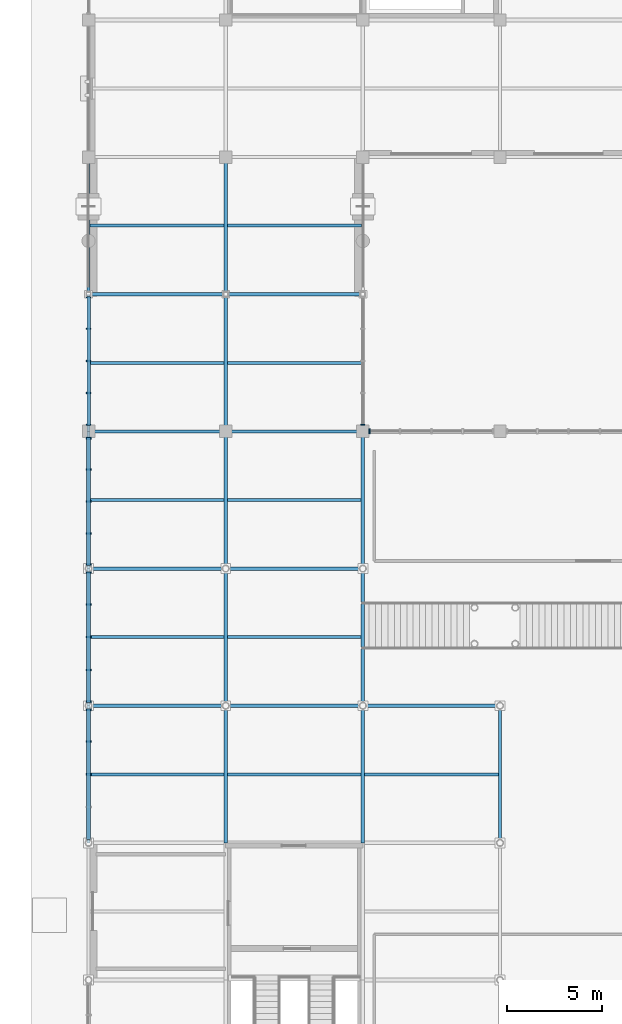
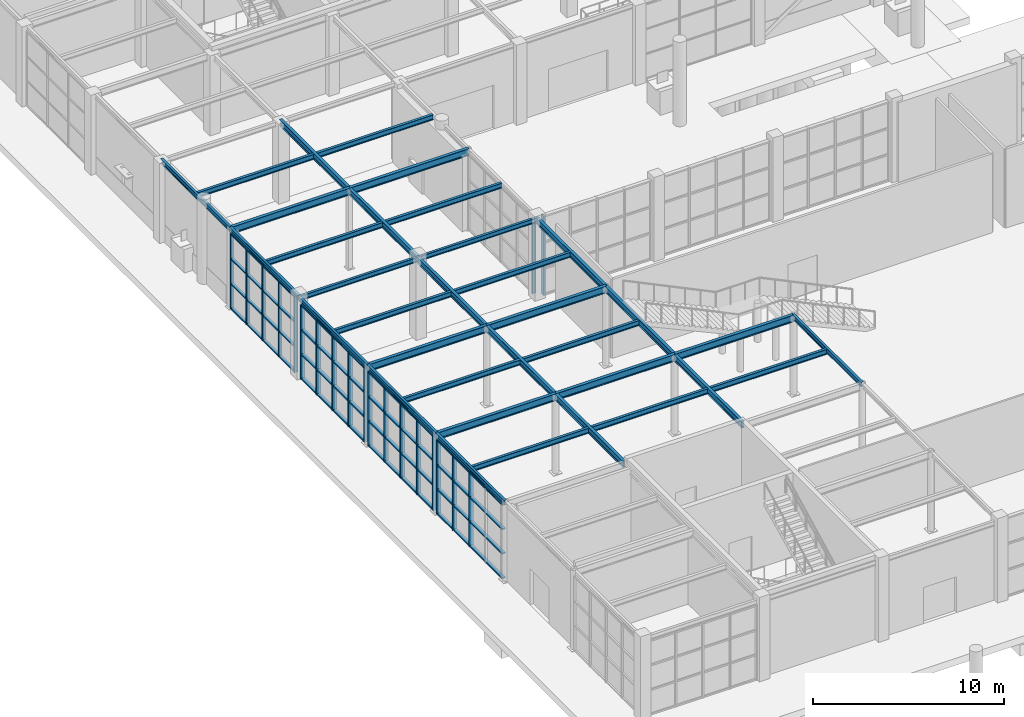
# One storey, part 22 of 75: 36 members, 34 beams, 6 elements without a shape of their own.
"""IFC4 building model written with IfcOpenShell, lengths in metres."""

from ifc_helpers import new_model, si_unit, direction, frame, origin, origin_2d, place, context, subcontext, project, spatial, rectangle, i_section, extrude, material, material_profile, profile_set, type_object, element, aggregate, save


model = new_model("IFC4")

# Units and contexts
model_context = context("Model", 3, precision=1e-05, world=origin(), true_north=direction((0.0, 1.0)))
body_context = subcontext(model_context, "Body", "Model", "MODEL_VIEW")
ifc_project = project(units=[si_unit("LENGTHUNIT", "METRE"), si_unit("AREAUNIT", "SQUARE_METRE"), si_unit("VOLUMEUNIT", "CUBIC_METRE"), si_unit("PLANEANGLEUNIT", "RADIAN"), si_unit("MASSUNIT", "GRAM", prefix="KILO")], contexts=[model_context])

# Site, building, storey
site_placement = place(None, origin())
site = spatial("IfcSite", under=ifc_project, at=site_placement, CompositionType="ELEMENT")
building_placement = place(site_placement, origin())
building = spatial("IfcBuilding", under=site, at=building_placement, Name="Leyfeld Transit Interchange", CompositionType="ELEMENT")
storey_placement = place(building_placement, origin())
storey = spatial("IfcBuildingStorey", under=building, at=storey_placement, Name="L00", CompositionType="ELEMENT", Elevation=0.0)

# Beams
ifc_material_1 = material(Name="Steel S355J2", Category="steel")
ifc_material_profile_1 = material_profile(ifc_material_1, i_section(OverallWidth=0.14990234375, OverallDepth=0.300048828125, WebThickness=0.007080078125, FlangeThickness=0.0107421875, FilletRadius=0.014892578125, at=origin_2d()), Name="IPE 300")
ifc_profile_set_1 = profile_set([ifc_material_profile_1], Name="Steel S355J2")
beam_type_1 = type_object("IfcBeamType", Name="BM-STL-IPE300", PredefinedType="SPANDREL", material=ifc_profile_set_1)
for number, where, z_axis, x_axis, name in (
    (1, (0.0, 28.800048828125, 4.949951171875), (0.0, 1.0, 0.0), (-1.0, 0.0, 0.0), "Beam BM-L00-0000_0288-0000_0360"),
    (2, (0.0, 36.0, 4.949951171875), (0.0, 1.0, 0.0), (-1.0, 0.0, 0.0), "Beam BM-L00-0000_0360-0000_0432"),
    (3, (0.0, 43.199951171875, 4.949951171875), (0.0, 1.0, 0.0), (-1.0, 0.0, 0.0), "Beam BM-L00-0000_0432-0000_0504"),
    (4, (21.60009765625, 28.800048828125, 4.949951171875), (0.0, 1.0, 0.0), (-1.0, 0.0, 0.0), "Beam BM-L00-0216_0288-0216_0360"),
    (5, (0.0, 50.39990234375, 4.949951171875), (1.0, 0.0, 0.0), (0.0, 1.0, 0.0), "Beam BM-L00-0000_0504-0072_0504"),
    (6, (7.199951171875, 50.39990234375, 4.949951171875), (1.0, 0.0, 0.0), (0.0, 1.0, 0.0), "Beam BM-L00-0072_0504-0144_0504"),
):
    element("IfcBeam", number, at=place(storey_placement, frame(where, z_axis=z_axis, x_axis=x_axis)), inside=storey, type_object=beam_type_1, Name=name, PredefinedType="SPANDREL", context=body_context, shape_type="SweptSolid", body=[
        extrude(i_section(OverallWidth=0.14990234375, OverallDepth=0.300048828125, WebThickness=0.007080078125, FlangeThickness=0.0107421875, FilletRadius=0.014892578125, at=origin_2d()), origin(), (0.0, 0.0, 1.0), 7.199951171875),
    ])
beam_1_placement = place(storey_placement, frame((0.0, 50.39990234375, 5.010009765625), z_axis=(0.0, 1.0, 0.0), x_axis=(-1.0, 0.0, 0.0)))
element("IfcBeam", 7, at=beam_1_placement, inside=storey, type_object=beam_type_1, Name="Beam BM-L00-0000_0504-0000_0576", PredefinedType="SPANDREL", context=body_context, shape_type="SweptSolid", body=[
    extrude(i_section(OverallWidth=0.14990234375, OverallDepth=0.300048828125, WebThickness=0.007080078125, FlangeThickness=0.0107421875, FilletRadius=0.014892578125, at=origin_2d()), origin(), (0.0, 0.0, 1.0), 7.2001953125),
])
beam_2_placement = place(storey_placement, frame((0.0, 57.60009765625, 5.010009765625), z_axis=(0.0, 1.0, 0.0), x_axis=(-1.0, 0.0, 0.0)))
element("IfcBeam", 8, at=beam_2_placement, inside=storey, type_object=beam_type_1, Name="Beam BM-L00-0000_0576-0000_0648", PredefinedType="SPANDREL", context=body_context, shape_type="SweptSolid", body=[
    extrude(i_section(OverallWidth=0.14990234375, OverallDepth=0.300048828125, WebThickness=0.007080078125, FlangeThickness=0.0107421875, FilletRadius=0.014892578125, at=origin_2d()), origin(), (0.0, 0.0, 1.0), 7.199951171875),
])
ifc_material_profile_2 = material_profile(ifc_material_1, i_section(OverallWidth=0.159912109375, OverallDepth=0.330078125, WebThickness=0.007568359375, FlangeThickness=0.011474609375, FilletRadius=0.01806640625, at=origin_2d()), Name="IPE 330")
ifc_profile_set_2 = profile_set([ifc_material_profile_2], Name="Steel S355J2")
beam_type_2 = type_object("IfcBeamType", Name="BM-STL-IPE330", PredefinedType="BEAM", material=ifc_profile_set_2)
beam_3_placement = place(storey_placement, frame((0.072021484375, 32.39990234375, 4.93505859375), z_axis=(1.0, 0.0, 0.0), x_axis=(0.0, 1.0, 0.0)))
element("IfcBeam", 9, at=beam_3_placement, inside=storey, type_object=beam_type_2, Name="Beam BM-L00-0001_0324-0071_0324", PredefinedType="BEAM", context=body_context, shape_type="SweptSolid", body=[
    extrude(i_section(OverallWidth=0.159912109375, OverallDepth=0.330078125, WebThickness=0.007568359375, FlangeThickness=0.011474609375, FilletRadius=0.01806640625, at=origin_2d()), origin(), (0.0, 0.0, 1.0), 7.041015625),
])
beam_4_placement = place(storey_placement, frame((7.287109375, 32.39990234375, 4.93505859375), z_axis=(1.0, 0.0, 0.0), x_axis=(0.0, 1.0, 0.0)))
element("IfcBeam", 10, at=beam_4_placement, inside=storey, type_object=beam_type_2, Name="Beam BM-L00-0073_0324-0143_0324", PredefinedType="BEAM", context=body_context, shape_type="SweptSolid", body=[
    extrude(i_section(OverallWidth=0.159912109375, OverallDepth=0.330078125, WebThickness=0.007568359375, FlangeThickness=0.011474609375, FilletRadius=0.01806640625, at=origin_2d()), origin(), (0.0, 0.0, 1.0), 7.02587890625),
])
for number, where, z_axis, x_axis, name in (
    (11, (14.487060546875, 32.39990234375, 4.93505859375), (1.0, 0.0, 0.0), (0.0, 1.0, 0.0), "Beam BM-L00-0145_0324-0215_0324"),
    (12, (0.072021484375, 39.60009765625, 4.93505859375), (1.0, 0.0, 0.0), (0.0, 1.0, 0.0), "Beam BM-L00-0001_0396-0071_0396"),
):
    element("IfcBeam", number, at=place(storey_placement, frame(where, z_axis=z_axis, x_axis=x_axis)), inside=storey, type_object=beam_type_2, Name=name, PredefinedType="BEAM", context=body_context, shape_type="SweptSolid", body=[
        extrude(i_section(OverallWidth=0.159912109375, OverallDepth=0.330078125, WebThickness=0.007568359375, FlangeThickness=0.011474609375, FilletRadius=0.01806640625, at=origin_2d()), origin(), (0.0, 0.0, 1.0), 7.041015625),
    ])
beam_5_placement = place(storey_placement, frame((7.287109375, 39.60009765625, 4.93505859375), z_axis=(1.0, 0.0, 0.0), x_axis=(0.0, 1.0, 0.0)))
element("IfcBeam", 13, at=beam_5_placement, inside=storey, type_object=beam_type_2, Name="Beam BM-L00-0073_0396-0143_0396", PredefinedType="BEAM", context=body_context, shape_type="SweptSolid", body=[
    extrude(i_section(OverallWidth=0.159912109375, OverallDepth=0.330078125, WebThickness=0.007568359375, FlangeThickness=0.011474609375, FilletRadius=0.01806640625, at=origin_2d()), origin(), (0.0, 0.0, 1.0), 7.02587890625),
])
beam_6_placement = place(storey_placement, frame((0.072021484375, 46.800048828125, 4.93505859375), z_axis=(1.0, 0.0, 0.0), x_axis=(0.0, 1.0, 0.0)))
element("IfcBeam", 14, at=beam_6_placement, inside=storey, type_object=beam_type_2, Name="Beam BM-L00-0001_0468-0071_0468", PredefinedType="BEAM", context=body_context, shape_type="SweptSolid", body=[
    extrude(i_section(OverallWidth=0.159912109375, OverallDepth=0.330078125, WebThickness=0.007568359375, FlangeThickness=0.011474609375, FilletRadius=0.01806640625, at=origin_2d()), origin(), (0.0, 0.0, 1.0), 7.041015625),
])
beam_7_placement = place(storey_placement, frame((7.287109375, 46.800048828125, 4.93505859375), z_axis=(1.0, 0.0, 0.0), x_axis=(0.0, 1.0, 0.0)))
element("IfcBeam", 15, at=beam_7_placement, inside=storey, type_object=beam_type_2, Name="Beam BM-L00-0073_0468-0143_0468", PredefinedType="BEAM", context=body_context, shape_type="SweptSolid", body=[
    extrude(i_section(OverallWidth=0.159912109375, OverallDepth=0.330078125, WebThickness=0.007568359375, FlangeThickness=0.011474609375, FilletRadius=0.01806640625, at=origin_2d()), origin(), (0.0, 0.0, 1.0), 7.02587890625),
])
beam_8_placement = place(storey_placement, frame((0.072021484375, 54.0, 4.9951171875), z_axis=(1.0, 0.0, 0.0), x_axis=(0.0, 1.0, 0.0)))
element("IfcBeam", 16, at=beam_8_placement, inside=storey, type_object=beam_type_2, Name="Beam BM-L00-0001_0540-0071_0540", PredefinedType="BEAM", context=body_context, shape_type="SweptSolid", body=[
    extrude(i_section(OverallWidth=0.159912109375, OverallDepth=0.330078125, WebThickness=0.007568359375, FlangeThickness=0.011474609375, FilletRadius=0.01806640625, at=origin_2d()), origin(), (0.0, 0.0, 1.0), 7.041015625),
])
beam_9_placement = place(storey_placement, frame((7.287109375, 54.0, 4.9951171875), z_axis=(1.0, 0.0, 0.0), x_axis=(0.0, 1.0, 0.0)))
element("IfcBeam", 17, at=beam_9_placement, inside=storey, type_object=beam_type_2, Name="Beam BM-L00-0073_0540-0143_0540", PredefinedType="BEAM", context=body_context, shape_type="SweptSolid", body=[
    extrude(i_section(OverallWidth=0.159912109375, OverallDepth=0.330078125, WebThickness=0.007568359375, FlangeThickness=0.011474609375, FilletRadius=0.01806640625, at=origin_2d()), origin(), (0.0, 0.0, 1.0), 7.040771484375),
])
beam_10_placement = place(storey_placement, frame((0.072021484375, 61.199951171875, 4.9951171875), z_axis=(1.0, 0.0, 0.0), x_axis=(0.0, 1.0, 0.0)))
element("IfcBeam", 18, at=beam_10_placement, inside=storey, type_object=beam_type_2, Name="Beam BM-L00-0001_0612-0071_0612", PredefinedType="BEAM", context=body_context, shape_type="SweptSolid", body=[
    extrude(i_section(OverallWidth=0.159912109375, OverallDepth=0.330078125, WebThickness=0.007568359375, FlangeThickness=0.011474609375, FilletRadius=0.01806640625, at=origin_2d()), origin(), (0.0, 0.0, 1.0), 7.041015625),
])
beam_11_placement = place(storey_placement, frame((7.287109375, 61.199951171875, 4.9951171875), z_axis=(1.0, 0.0, 0.0), x_axis=(0.0, 1.0, 0.0)))
element("IfcBeam", 19, at=beam_11_placement, inside=storey, type_object=beam_type_2, Name="Beam BM-L00-0073_0612-0143_0612", PredefinedType="BEAM", context=body_context, shape_type="SweptSolid", body=[
    extrude(i_section(OverallWidth=0.159912109375, OverallDepth=0.330078125, WebThickness=0.007568359375, FlangeThickness=0.011474609375, FilletRadius=0.01806640625, at=origin_2d()), origin(), (0.0, 0.0, 1.0), 7.040771484375),
])
ifc_material_profile_3 = material_profile(ifc_material_1, i_section(OverallWidth=0.179931640625, OverallDepth=0.39990234375, WebThickness=0.008544921875, FlangeThickness=0.013427734375, FilletRadius=0.02099609375, at=origin_2d()), Name="IPE 400")
ifc_profile_set_3 = profile_set([ifc_material_profile_3], Name="Steel S355J2")
beam_type_3 = type_object("IfcBeamType", Name="BM-STL-IPE400", PredefinedType="BEAM", material=ifc_profile_set_3)
for number, where, z_axis, x_axis, name in (
    (20, (7.199951171875, 28.800048828125, 4.89990234375), (0.0, 1.0, 0.0), (-1.0, 0.0, 0.0), "Beam BM-L00-0072_0288-0072_0360"),
    (21, (7.199951171875, 36.0, 4.89990234375), (0.0, 1.0, 0.0), (-1.0, 0.0, 0.0), "Beam BM-L00-0072_0360-0072_0432"),
    (22, (7.199951171875, 43.199951171875, 4.89990234375), (0.0, 1.0, 0.0), (-1.0, 0.0, 0.0), "Beam BM-L00-0072_0432-0072_0504"),
    (23, (14.39990234375, 28.800048828125, 4.89990234375), (0.0, 1.0, 0.0), (-1.0, 0.0, 0.0), "Beam BM-L00-0144_0288-0144_0360"),
    (24, (14.39990234375, 36.0, 4.89990234375), (0.0, 1.0, 0.0), (-1.0, 0.0, 0.0), "Beam BM-L00-0144_0360-0144_0432"),
    (25, (14.39990234375, 43.199951171875, 4.89990234375), (0.0, 1.0, 0.0), (-1.0, 0.0, 0.0), "Beam BM-L00-0144_0432-0144_0504"),
):
    element("IfcBeam", number, at=place(storey_placement, frame(where, z_axis=z_axis, x_axis=x_axis)), inside=storey, type_object=beam_type_3, Name=name, PredefinedType="BEAM", context=body_context, shape_type="SweptSolid", body=[
        extrude(i_section(OverallWidth=0.179931640625, OverallDepth=0.39990234375, WebThickness=0.008544921875, FlangeThickness=0.013427734375, FilletRadius=0.02099609375, at=origin_2d()), origin(), (0.0, 0.0, 1.0), 7.199951171875),
    ])
beam_12_placement = place(storey_placement, frame((7.199951171875, 50.39990234375, 4.9599609375), z_axis=(0.0, 1.0, 0.0), x_axis=(-1.0, 0.0, 0.0)))
element("IfcBeam", 26, at=beam_12_placement, inside=storey, type_object=beam_type_3, Name="Beam BM-L00-0072_0504-0072_0576", PredefinedType="BEAM", context=body_context, shape_type="SweptSolid", body=[
    extrude(i_section(OverallWidth=0.179931640625, OverallDepth=0.39990234375, WebThickness=0.008544921875, FlangeThickness=0.013427734375, FilletRadius=0.02099609375, at=origin_2d()), origin(), (0.0, 0.0, 1.0), 7.2001953125),
])
beam_13_placement = place(storey_placement, frame((7.199951171875, 57.60009765625, 4.9599609375), z_axis=(0.0, 1.0, 0.0), x_axis=(-1.0, 0.0, 0.0)))
element("IfcBeam", 27, at=beam_13_placement, inside=storey, type_object=beam_type_3, Name="Beam BM-L00-0072_0576-0072_0648", PredefinedType="BEAM", context=body_context, shape_type="SweptSolid", body=[
    extrude(i_section(OverallWidth=0.179931640625, OverallDepth=0.39990234375, WebThickness=0.008544921875, FlangeThickness=0.013427734375, FilletRadius=0.02099609375, at=origin_2d()), origin(), (0.0, 0.0, 1.0), 7.199951171875),
])
ifc_material_profile_4 = material_profile(ifc_material_1, i_section(OverallWidth=0.18994140625, OverallDepth=0.449951171875, WebThickness=0.009521484375, FlangeThickness=0.0146484375, FilletRadius=0.02099609375, at=origin_2d()), Name="IPE 450")
ifc_profile_set_4 = profile_set([ifc_material_profile_4], Name="Steel S355J2")
beam_type_4 = type_object("IfcBeamType", Name="BM-STL-IPE450", PredefinedType="BEAM", material=ifc_profile_set_4)
for number, where, z_axis, x_axis, name in (
    (28, (0.0, 36.0, 4.875), (1.0, 0.0, 0.0), (0.0, 1.0, 0.0), "Beam BM-L00-0000_0360-0072_0360"),
    (29, (7.199951171875, 36.0, 4.875), (1.0, 0.0, 0.0), (0.0, 1.0, 0.0), "Beam BM-L00-0072_0360-0144_0360"),
):
    element("IfcBeam", number, at=place(storey_placement, frame(where, z_axis=z_axis, x_axis=x_axis)), inside=storey, type_object=beam_type_4, Name=name, PredefinedType="BEAM", context=body_context, shape_type="SweptSolid", body=[
        extrude(i_section(OverallWidth=0.18994140625, OverallDepth=0.449951171875, WebThickness=0.009521484375, FlangeThickness=0.0146484375, FilletRadius=0.02099609375, at=origin_2d()), origin(), (0.0, 0.0, 1.0), 7.199951171875),
    ])
beam_14_placement = place(storey_placement, frame((14.39990234375, 36.0, 4.875), z_axis=(1.0, 0.0, 0.0), x_axis=(0.0, 1.0, 0.0)))
element("IfcBeam", 30, at=beam_14_placement, inside=storey, type_object=beam_type_4, Name="Beam BM-L00-0144_0360-0216_0360", PredefinedType="BEAM", context=body_context, shape_type="SweptSolid", body=[
    extrude(i_section(OverallWidth=0.18994140625, OverallDepth=0.449951171875, WebThickness=0.009521484375, FlangeThickness=0.0146484375, FilletRadius=0.02099609375, at=origin_2d()), origin(), (0.0, 0.0, 1.0), 7.2001953125),
])
for number, where, z_axis, x_axis, name in (
    (31, (0.0, 43.199951171875, 4.875), (1.0, 0.0, 0.0), (0.0, 1.0, 0.0), "Beam BM-L00-0000_0432-0072_0432"),
    (32, (7.199951171875, 43.199951171875, 4.875), (1.0, 0.0, 0.0), (0.0, 1.0, 0.0), "Beam BM-L00-0072_0432-0144_0432"),
    (33, (0.0, 57.60009765625, 4.93505859375), (1.0, 0.0, 0.0), (0.0, 1.0, 0.0), "Beam BM-L00-0000_0576-0072_0576"),
    (34, (7.199951171875, 57.60009765625, 4.93505859375), (1.0, 0.0, 0.0), (0.0, 1.0, 0.0), "Beam BM-L00-0072_0576-0144_0576"),
):
    element("IfcBeam", number, at=place(storey_placement, frame(where, z_axis=z_axis, x_axis=x_axis)), inside=storey, type_object=beam_type_4, Name=name, PredefinedType="BEAM", context=body_context, shape_type="SweptSolid", body=[
        extrude(i_section(OverallWidth=0.18994140625, OverallDepth=0.449951171875, WebThickness=0.009521484375, FlangeThickness=0.0146484375, FilletRadius=0.02099609375, at=origin_2d()), origin(), (0.0, 0.0, 1.0), 7.199951171875),
    ])

# Curtain wall, members
ifc_material_2 = material(Name="Anodised aluminium EN AW-6060 T66", Category="aluminium")
curtain_wall_type_1 = type_object("IfcCurtainWallType", Name="CW-SYS-PAS-7200", PredefinedType="NOTDEFINED", material=ifc_material_2)
curtain_wall_1_placement = place(storey_placement, origin())
curtain_wall_1 = element("IfcCurtainWall", 35, at=curtain_wall_1_placement, inside=storey, type_object=curtain_wall_type_1, Name="Curtain Wall CW-L00-006", PredefinedType="NOTDEFINED")
ifc_material_profile_5 = material_profile(ifc_material_2, rectangle(XDim=0.074951171875, YDim=0.219970703125, at=origin_2d()), Name="CW-M 75x220")
ifc_profile_set_5 = profile_set([ifc_material_profile_5], Name="Anodised aluminium EN AW-6060 T66")
member_type_1 = type_object("IfcMemberType", Name="CW-MUL-180x70", PredefinedType="MULLION", material=ifc_profile_set_5)
member_1_placement = place(storey_placement, frame((0.0, 50.75244140625, 0.0), z_axis=(0.0, 0.0, 1.0), x_axis=(0.0, 1.0, 0.0)))
member_1 = element("IfcMember", 36, at=member_1_placement, type_object=member_type_1, Name="Curtain Mullion CW-L00-006-M01", PredefinedType="MULLION", context=body_context, shape_type="SweptSolid", body=[
    extrude(rectangle(XDim=0.074951171875, YDim=0.219970703125, at=origin_2d()), origin(), (0.0, 0.0, 1.0), 4.830078125),
])
member_2_placement = place(storey_placement, frame((0.0, 52.407470703125, 0.0), z_axis=(0.0, 0.0, 1.0), x_axis=(0.0, 1.0, 0.0)))
member_2 = element("IfcMember", 37, at=member_2_placement, type_object=member_type_1, Name="Curtain Mullion CW-L00-006-M02", PredefinedType="MULLION", context=body_context, shape_type="SweptSolid", body=[
    extrude(rectangle(XDim=0.074951171875, YDim=0.219970703125, at=origin_2d()), origin(), (0.0, 0.0, 1.0), 4.830078125),
])
member_3_placement = place(storey_placement, frame((0.0, 54.10009765625, 0.0), z_axis=(0.0, 0.0, 1.0), x_axis=(0.0, 1.0, 0.0)))
member_3 = element("IfcMember", 38, at=member_3_placement, type_object=member_type_1, Name="Curtain Mullion CW-L00-006-M03", PredefinedType="MULLION", context=body_context, shape_type="SweptSolid", body=[
    extrude(rectangle(XDim=0.074951171875, YDim=0.219970703125, at=origin_2d()), origin(), (0.0, 0.0, 1.0), 4.830078125),
])
member_4_placement = place(storey_placement, frame((0.0, 55.79248046875, 0.0), z_axis=(0.0, 0.0, 1.0), x_axis=(0.0, 1.0, 0.0)))
member_4 = element("IfcMember", 39, at=member_4_placement, type_object=member_type_1, Name="Curtain Mullion CW-L00-006-M04", PredefinedType="MULLION", context=body_context, shape_type="SweptSolid", body=[
    extrude(rectangle(XDim=0.074951171875, YDim=0.219970703125, at=origin_2d()), origin(), (0.0, 0.0, 1.0), 4.830078125),
])
member_5_placement = place(storey_placement, frame((0.0, 57.447509765625, 0.0), z_axis=(0.0, 0.0, 1.0), x_axis=(0.0, 1.0, 0.0)))
member_5 = element("IfcMember", 40, at=member_5_placement, type_object=member_type_1, Name="Curtain Mullion CW-L00-006-M05", PredefinedType="MULLION", context=body_context, shape_type="SweptSolid", body=[
    extrude(rectangle(XDim=0.074951171875, YDim=0.219970703125, at=origin_2d()), origin(), (0.0, 0.0, 1.0), 4.830078125),
])

# Curtain wall, member
curtain_wall_2_placement = place(storey_placement, origin())
curtain_wall_2 = element("IfcCurtainWall", 41, at=curtain_wall_2_placement, inside=storey, type_object=curtain_wall_type_1, Name="Curtain Wall CW-L00-010", PredefinedType="NOTDEFINED")
member_6_placement = place(storey_placement, frame((14.39990234375, 50.75244140625, 0.0), z_axis=(0.0, 0.0, 1.0), x_axis=(0.0, -1.0, 0.0)))
member_6 = element("IfcMember", 42, at=member_6_placement, type_object=member_type_1, Name="Curtain Mullion CW-L00-010-M05", PredefinedType="MULLION", context=body_context, shape_type="SweptSolid", body=[
    extrude(rectangle(XDim=0.074951171875, YDim=0.219970703125, at=origin_2d()), origin(), (0.0, 0.0, 1.0), 4.830078125),
])
aggregate(curtain_wall_2, [member_6])

# Curtain wall, members
curtain_wall_type_2 = type_object("IfcCurtainWallType", Name="CW-SYS-ARC-7200", PredefinedType="NOTDEFINED", material=ifc_material_2)
curtain_wall_3_placement = place(storey_placement, origin())
curtain_wall_3 = element("IfcCurtainWall", 43, at=curtain_wall_3_placement, inside=storey, type_object=curtain_wall_type_2, Name="Curtain Wall CW-L00-003", PredefinedType="NOTDEFINED")
ifc_material_profile_6 = material_profile(ifc_material_2, rectangle(XDim=0.0849609375, YDim=0.260009765625, at=origin_2d()), Name="CW-M 85x260")
ifc_profile_set_6 = profile_set([ifc_material_profile_6], Name="Anodised aluminium EN AW-6060 T66")
member_type_2 = type_object("IfcMemberType", Name="CW-MUL-220x80", PredefinedType="MULLION", material=ifc_profile_set_6)
member_7_placement = place(storey_placement, frame((0.0, 32.39990234375, 0.0), z_axis=(0.0, 0.0, 1.0), x_axis=(0.0, 1.0, 0.0)))
member_7 = element("IfcMember", 44, at=member_7_placement, type_object=member_type_2, Name="Curtain Mullion CW-L00-003-M03", PredefinedType="MULLION", context=body_context, shape_type="SweptSolid", body=[
    extrude(rectangle(XDim=0.0849609375, YDim=0.260009765625, at=origin_2d()), origin(), (0.0, 0.0, 1.0), 4.77001953125),
])
member_8_placement = place(storey_placement, frame((0.0, 34.1162109375, 0.0), z_axis=(0.0, 0.0, 1.0), x_axis=(0.0, 1.0, 0.0)))
member_8 = element("IfcMember", 45, at=member_8_placement, type_object=member_type_2, Name="Curtain Mullion CW-L00-003-M04", PredefinedType="MULLION", context=body_context, shape_type="SweptSolid", body=[
    extrude(rectangle(XDim=0.0849609375, YDim=0.260009765625, at=origin_2d()), origin(), (0.0, 0.0, 1.0), 4.77001953125),
])
member_9_placement = place(storey_placement, frame((0.0, 35.789794921875, 0.0), z_axis=(0.0, 0.0, 1.0), x_axis=(0.0, 1.0, 0.0)))
member_9 = element("IfcMember", 46, at=member_9_placement, type_object=member_type_2, Name="Curtain Mullion CW-L00-003-M05", PredefinedType="MULLION", context=body_context, shape_type="SweptSolid", body=[
    extrude(rectangle(XDim=0.0849609375, YDim=0.260009765625, at=origin_2d()), origin(), (0.0, 0.0, 1.0), 4.77001953125),
])

curtain_wall_4_placement = place(storey_placement, origin())
curtain_wall_4 = element("IfcCurtainWall", 47, at=curtain_wall_4_placement, inside=storey, type_object=curtain_wall_type_2, Name="Curtain Wall CW-L00-004", PredefinedType="NOTDEFINED")
member_10_placement = place(storey_placement, frame((0.0, 36.210205078125, 0.0), z_axis=(0.0, 0.0, 1.0), x_axis=(0.0, 1.0, 0.0)))
member_10 = element("IfcMember", 48, at=member_10_placement, type_object=member_type_2, Name="Curtain Mullion CW-L00-004-M01", PredefinedType="MULLION", context=body_context, shape_type="SweptSolid", body=[
    extrude(rectangle(XDim=0.0849609375, YDim=0.260009765625, at=origin_2d()), origin(), (0.0, 0.0, 1.0), 4.77001953125),
])
member_11_placement = place(storey_placement, frame((0.0, 37.8837890625, 0.0), z_axis=(0.0, 0.0, 1.0), x_axis=(0.0, 1.0, 0.0)))
member_11 = element("IfcMember", 49, at=member_11_placement, type_object=member_type_2, Name="Curtain Mullion CW-L00-004-M02", PredefinedType="MULLION", context=body_context, shape_type="SweptSolid", body=[
    extrude(rectangle(XDim=0.0849609375, YDim=0.260009765625, at=origin_2d()), origin(), (0.0, 0.0, 1.0), 4.77001953125),
])
member_12_placement = place(storey_placement, frame((0.0, 39.60009765625, 0.0), z_axis=(0.0, 0.0, 1.0), x_axis=(0.0, 1.0, 0.0)))
member_12 = element("IfcMember", 50, at=member_12_placement, type_object=member_type_2, Name="Curtain Mullion CW-L00-004-M03", PredefinedType="MULLION", context=body_context, shape_type="SweptSolid", body=[
    extrude(rectangle(XDim=0.0849609375, YDim=0.260009765625, at=origin_2d()), origin(), (0.0, 0.0, 1.0), 4.77001953125),
])
member_13_placement = place(storey_placement, frame((0.0, 41.316162109375, 0.0), z_axis=(0.0, 0.0, 1.0), x_axis=(0.0, 1.0, 0.0)))
member_13 = element("IfcMember", 51, at=member_13_placement, type_object=member_type_2, Name="Curtain Mullion CW-L00-004-M04", PredefinedType="MULLION", context=body_context, shape_type="SweptSolid", body=[
    extrude(rectangle(XDim=0.0849609375, YDim=0.260009765625, at=origin_2d()), origin(), (0.0, 0.0, 1.0), 4.77001953125),
])
member_14_placement = place(storey_placement, frame((0.0, 42.98974609375, 0.0), z_axis=(0.0, 0.0, 1.0), x_axis=(0.0, 1.0, 0.0)))
member_14 = element("IfcMember", 52, at=member_14_placement, type_object=member_type_2, Name="Curtain Mullion CW-L00-004-M05", PredefinedType="MULLION", context=body_context, shape_type="SweptSolid", body=[
    extrude(rectangle(XDim=0.0849609375, YDim=0.260009765625, at=origin_2d()), origin(), (0.0, 0.0, 1.0), 4.77001953125),
])

curtain_wall_5_placement = place(storey_placement, origin())
curtain_wall_5 = element("IfcCurtainWall", 53, at=curtain_wall_5_placement, inside=storey, type_object=curtain_wall_type_2, Name="Curtain Wall CW-L00-005", PredefinedType="NOTDEFINED")
member_15_placement = place(storey_placement, frame((0.0, 43.410400390625, 0.0), z_axis=(0.0, 0.0, 1.0), x_axis=(0.0, 1.0, 0.0)))
member_15 = element("IfcMember", 54, at=member_15_placement, type_object=member_type_2, Name="Curtain Mullion CW-L00-005-M01", PredefinedType="MULLION", context=body_context, shape_type="SweptSolid", body=[
    extrude(rectangle(XDim=0.0849609375, YDim=0.260009765625, at=origin_2d()), origin(), (0.0, 0.0, 1.0), 4.77001953125),
])
member_16_placement = place(storey_placement, frame((0.0, 45.047119140625, 0.0), z_axis=(0.0, 0.0, 1.0), x_axis=(0.0, 1.0, 0.0)))
member_16 = element("IfcMember", 55, at=member_16_placement, type_object=member_type_2, Name="Curtain Mullion CW-L00-005-M02", PredefinedType="MULLION", context=body_context, shape_type="SweptSolid", body=[
    extrude(rectangle(XDim=0.0849609375, YDim=0.260009765625, at=origin_2d()), origin(), (0.0, 0.0, 1.0), 4.77001953125),
])
member_17_placement = place(storey_placement, frame((0.0, 46.726318359375, 0.0), z_axis=(0.0, 0.0, 1.0), x_axis=(0.0, 1.0, 0.0)))
member_17 = element("IfcMember", 56, at=member_17_placement, type_object=member_type_2, Name="Curtain Mullion CW-L00-005-M03", PredefinedType="MULLION", context=body_context, shape_type="SweptSolid", body=[
    extrude(rectangle(XDim=0.0849609375, YDim=0.260009765625, at=origin_2d()), origin(), (0.0, 0.0, 1.0), 4.77001953125),
])
member_18_placement = place(storey_placement, frame((0.0, 48.40576171875, 0.0), z_axis=(0.0, 0.0, 1.0), x_axis=(0.0, 1.0, 0.0)))
member_18 = element("IfcMember", 57, at=member_18_placement, type_object=member_type_2, Name="Curtain Mullion CW-L00-005-M04", PredefinedType="MULLION", context=body_context, shape_type="SweptSolid", body=[
    extrude(rectangle(XDim=0.0849609375, YDim=0.260009765625, at=origin_2d()), origin(), (0.0, 0.0, 1.0), 4.77001953125),
])
member_19_placement = place(storey_placement, frame((0.0, 50.04248046875, 0.0), z_axis=(0.0, 0.0, 1.0), x_axis=(0.0, 1.0, 0.0)))
member_19 = element("IfcMember", 58, at=member_19_placement, type_object=member_type_2, Name="Curtain Mullion CW-L00-005-M05", PredefinedType="MULLION", context=body_context, shape_type="SweptSolid", body=[
    extrude(rectangle(XDim=0.0849609375, YDim=0.260009765625, at=origin_2d()), origin(), (0.0, 0.0, 1.0), 4.77001953125),
])

# Curtain wall, member
curtain_wall_6_placement = place(storey_placement, origin())
curtain_wall_6 = element("IfcCurtainWall", 59, at=curtain_wall_6_placement, inside=storey, type_object=curtain_wall_type_2, Name="Curtain Wall CW-L00-011", PredefinedType="NOTDEFINED")
member_20_placement = place(storey_placement, frame((14.757568359375, 50.39990234375, 0.0), z_axis=(0.0, 0.0, 1.0), x_axis=(1.0, 0.0, 0.0)))
member_20 = element("IfcMember", 60, at=member_20_placement, type_object=member_type_2, Name="Curtain Mullion CW-L00-011-M01", PredefinedType="MULLION", context=body_context, shape_type="SweptSolid", body=[
    extrude(rectangle(XDim=0.0849609375, YDim=0.260009765625, at=origin_2d()), origin(), (0.0, 0.0, 1.0), 5.10009765625),
])
aggregate(curtain_wall_6, [member_20])

# Member
ifc_material_profile_7 = material_profile(ifc_material_2, rectangle(XDim=0.179931640625, YDim=0.074951171875, at=origin_2d()), Name="CW-TRN-160x70")
ifc_profile_set_7 = profile_set([ifc_material_profile_7], Name="Anodised aluminium EN AW-6060 T66")
member_type_3 = type_object("IfcMemberType", Name="CW-TRN-160x70", PredefinedType="USERDEFINED", material=ifc_profile_set_7)
member_21_placement = place(storey_placement, frame((0.0, 50.715087890625, 0.03759765625), z_axis=(0.0, 1.0, 0.0), x_axis=(-1.0, 0.0, 0.0)))
member_21 = element("IfcMember", 61, at=member_21_placement, type_object=member_type_3, Name="Curtain Transom CW-L00-006-T01", ObjectType="TRANSOM", PredefinedType="USERDEFINED", context=body_context, shape_type="SweptSolid", body=[
    extrude(rectangle(XDim=0.179931640625, YDim=0.074951171875, at=origin_2d()), origin(), (0.0, 0.0, 1.0), 6.77001953125),
])

member_22_placement = place(storey_placement, frame((0.0, 50.715087890625, 1.62255859375), z_axis=(0.0, 1.0, 0.0), x_axis=(-1.0, 0.0, 0.0)))
member_22 = element("IfcMember", 62, at=member_22_placement, type_object=member_type_3, Name="Curtain Transom CW-L00-006-T02", ObjectType="TRANSOM", PredefinedType="USERDEFINED", context=body_context, shape_type="SweptSolid", body=[
    extrude(rectangle(XDim=0.179931640625, YDim=0.074951171875, at=origin_2d()), origin(), (0.0, 0.0, 1.0), 6.77001953125),
])

member_23_placement = place(storey_placement, frame((0.0, 50.715087890625, 3.20751953125), z_axis=(0.0, 1.0, 0.0), x_axis=(-1.0, 0.0, 0.0)))
member_23 = element("IfcMember", 63, at=member_23_placement, type_object=member_type_3, Name="Curtain Transom CW-L00-006-T03", ObjectType="TRANSOM", PredefinedType="USERDEFINED", context=body_context, shape_type="SweptSolid", body=[
    extrude(rectangle(XDim=0.179931640625, YDim=0.074951171875, at=origin_2d()), origin(), (0.0, 0.0, 1.0), 6.77001953125),
])

member_24_placement = place(storey_placement, frame((0.0, 50.715087890625, 4.79248046875), z_axis=(0.0, 1.0, 0.0), x_axis=(-1.0, 0.0, 0.0)))
member_24 = element("IfcMember", 64, at=member_24_placement, type_object=member_type_3, Name="Curtain Transom CW-L00-006-T04", ObjectType="TRANSOM", PredefinedType="USERDEFINED", context=body_context, shape_type="SweptSolid", body=[
    extrude(rectangle(XDim=0.179931640625, YDim=0.074951171875, at=origin_2d()), origin(), (0.0, 0.0, 1.0), 6.77001953125),
])

aggregate(curtain_wall_1, [member_1, member_2, member_3, member_4, member_5, member_21, member_22, member_23, member_24])

ifc_material_profile_8 = material_profile(ifc_material_2, rectangle(XDim=0.2099609375, YDim=0.0849609375, at=origin_2d()), Name="CW-TRN-200x80")
ifc_profile_set_8 = profile_set([ifc_material_profile_8], Name="Anodised aluminium EN AW-6060 T66")
member_type_4 = type_object("IfcMemberType", Name="CW-TRN-200x80", PredefinedType="USERDEFINED", material=ifc_profile_set_8)
member_25_placement = place(storey_placement, frame((0.0, 28.9677734375, 0.04248046875), z_axis=(0.0, 1.0, 0.0), x_axis=(-1.0, 0.0, 0.0)))
member_25 = element("IfcMember", 65, at=member_25_placement, type_object=member_type_4, Name="Curtain Transom CW-L00-003-T01", ObjectType="TRANSOM", PredefinedType="USERDEFINED", context=body_context, shape_type="SweptSolid", body=[
    extrude(rectangle(XDim=0.2099609375, YDim=0.0849609375, at=origin_2d()), origin(), (0.0, 0.0, 1.0), 6.864501953125),
])

member_26_placement = place(storey_placement, frame((0.0, 28.9677734375, 1.604248046875), z_axis=(0.0, 1.0, 0.0), x_axis=(-1.0, 0.0, 0.0)))
member_26 = element("IfcMember", 66, at=member_26_placement, type_object=member_type_4, Name="Curtain Transom CW-L00-003-T02", ObjectType="TRANSOM", PredefinedType="USERDEFINED", context=body_context, shape_type="SweptSolid", body=[
    extrude(rectangle(XDim=0.2099609375, YDim=0.0849609375, at=origin_2d()), origin(), (0.0, 0.0, 1.0), 6.864501953125),
])

member_27_placement = place(storey_placement, frame((0.0, 28.9677734375, 3.165771484375), z_axis=(0.0, 1.0, 0.0), x_axis=(-1.0, 0.0, 0.0)))
member_27 = element("IfcMember", 67, at=member_27_placement, type_object=member_type_4, Name="Curtain Transom CW-L00-003-T03", ObjectType="TRANSOM", PredefinedType="USERDEFINED", context=body_context, shape_type="SweptSolid", body=[
    extrude(rectangle(XDim=0.2099609375, YDim=0.0849609375, at=origin_2d()), origin(), (0.0, 0.0, 1.0), 6.864501953125),
])

member_28_placement = place(storey_placement, frame((0.0, 28.9677734375, 4.7275390625), z_axis=(0.0, 1.0, 0.0), x_axis=(-1.0, 0.0, 0.0)))
member_28 = element("IfcMember", 68, at=member_28_placement, type_object=member_type_4, Name="Curtain Transom CW-L00-003-T04", ObjectType="TRANSOM", PredefinedType="USERDEFINED", context=body_context, shape_type="SweptSolid", body=[
    extrude(rectangle(XDim=0.2099609375, YDim=0.0849609375, at=origin_2d()), origin(), (0.0, 0.0, 1.0), 6.864501953125),
])

aggregate(curtain_wall_3, [member_7, member_8, member_9, member_25, member_26, member_27, member_28])

member_29_placement = place(storey_placement, frame((0.0, 36.167724609375, 0.04248046875), z_axis=(0.0, 1.0, 0.0), x_axis=(-1.0, 0.0, 0.0)))
member_29 = element("IfcMember", 69, at=member_29_placement, type_object=member_type_4, Name="Curtain Transom CW-L00-004-T01", ObjectType="TRANSOM", PredefinedType="USERDEFINED", context=body_context, shape_type="SweptSolid", body=[
    extrude(rectangle(XDim=0.2099609375, YDim=0.0849609375, at=origin_2d()), origin(), (0.0, 0.0, 1.0), 6.864501953125),
])

member_30_placement = place(storey_placement, frame((0.0, 36.167724609375, 1.604248046875), z_axis=(0.0, 1.0, 0.0), x_axis=(-1.0, 0.0, 0.0)))
member_30 = element("IfcMember", 70, at=member_30_placement, type_object=member_type_4, Name="Curtain Transom CW-L00-004-T02", ObjectType="TRANSOM", PredefinedType="USERDEFINED", context=body_context, shape_type="SweptSolid", body=[
    extrude(rectangle(XDim=0.2099609375, YDim=0.0849609375, at=origin_2d()), origin(), (0.0, 0.0, 1.0), 6.864501953125),
])

member_31_placement = place(storey_placement, frame((0.0, 36.167724609375, 3.165771484375), z_axis=(0.0, 1.0, 0.0), x_axis=(-1.0, 0.0, 0.0)))
member_31 = element("IfcMember", 71, at=member_31_placement, type_object=member_type_4, Name="Curtain Transom CW-L00-004-T03", ObjectType="TRANSOM", PredefinedType="USERDEFINED", context=body_context, shape_type="SweptSolid", body=[
    extrude(rectangle(XDim=0.2099609375, YDim=0.0849609375, at=origin_2d()), origin(), (0.0, 0.0, 1.0), 6.864501953125),
])

member_32_placement = place(storey_placement, frame((0.0, 36.167724609375, 4.7275390625), z_axis=(0.0, 1.0, 0.0), x_axis=(-1.0, 0.0, 0.0)))
member_32 = element("IfcMember", 72, at=member_32_placement, type_object=member_type_4, Name="Curtain Transom CW-L00-004-T04", ObjectType="TRANSOM", PredefinedType="USERDEFINED", context=body_context, shape_type="SweptSolid", body=[
    extrude(rectangle(XDim=0.2099609375, YDim=0.0849609375, at=origin_2d()), origin(), (0.0, 0.0, 1.0), 6.864501953125),
])

aggregate(curtain_wall_4, [member_10, member_11, member_12, member_13, member_14, member_29, member_30, member_31, member_32])

member_33_placement = place(storey_placement, frame((0.0, 43.367919921875, 0.04248046875), z_axis=(0.0, 1.0, 0.0), x_axis=(-1.0, 0.0, 0.0)))
member_33 = element("IfcMember", 73, at=member_33_placement, type_object=member_type_4, Name="Curtain Transom CW-L00-005-T01", ObjectType="TRANSOM", PredefinedType="USERDEFINED", context=body_context, shape_type="SweptSolid", body=[
    extrude(rectangle(XDim=0.2099609375, YDim=0.0849609375, at=origin_2d()), origin(), (0.0, 0.0, 1.0), 6.717041015625),
])

member_34_placement = place(storey_placement, frame((0.0, 43.367919921875, 1.604248046875), z_axis=(0.0, 1.0, 0.0), x_axis=(-1.0, 0.0, 0.0)))
member_34 = element("IfcMember", 74, at=member_34_placement, type_object=member_type_4, Name="Curtain Transom CW-L00-005-T02", ObjectType="TRANSOM", PredefinedType="USERDEFINED", context=body_context, shape_type="SweptSolid", body=[
    extrude(rectangle(XDim=0.2099609375, YDim=0.0849609375, at=origin_2d()), origin(), (0.0, 0.0, 1.0), 6.717041015625),
])

member_35_placement = place(storey_placement, frame((0.0, 43.367919921875, 3.165771484375), z_axis=(0.0, 1.0, 0.0), x_axis=(-1.0, 0.0, 0.0)))
member_35 = element("IfcMember", 75, at=member_35_placement, type_object=member_type_4, Name="Curtain Transom CW-L00-005-T03", ObjectType="TRANSOM", PredefinedType="USERDEFINED", context=body_context, shape_type="SweptSolid", body=[
    extrude(rectangle(XDim=0.2099609375, YDim=0.0849609375, at=origin_2d()), origin(), (0.0, 0.0, 1.0), 6.717041015625),
])

member_36_placement = place(storey_placement, frame((0.0, 43.367919921875, 4.7275390625), z_axis=(0.0, 1.0, 0.0), x_axis=(-1.0, 0.0, 0.0)))
member_36 = element("IfcMember", 76, at=member_36_placement, type_object=member_type_4, Name="Curtain Transom CW-L00-005-T04", ObjectType="TRANSOM", PredefinedType="USERDEFINED", context=body_context, shape_type="SweptSolid", body=[
    extrude(rectangle(XDim=0.2099609375, YDim=0.0849609375, at=origin_2d()), origin(), (0.0, 0.0, 1.0), 6.717041015625),
])

aggregate(curtain_wall_5, [member_15, member_16, member_17, member_18, member_19, member_33, member_34, member_35, member_36])

save(model, "model.ifc")
